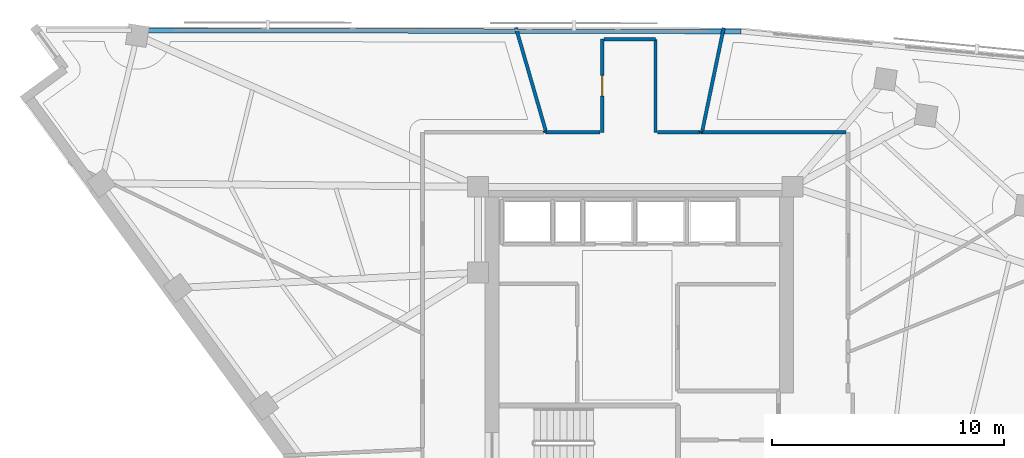
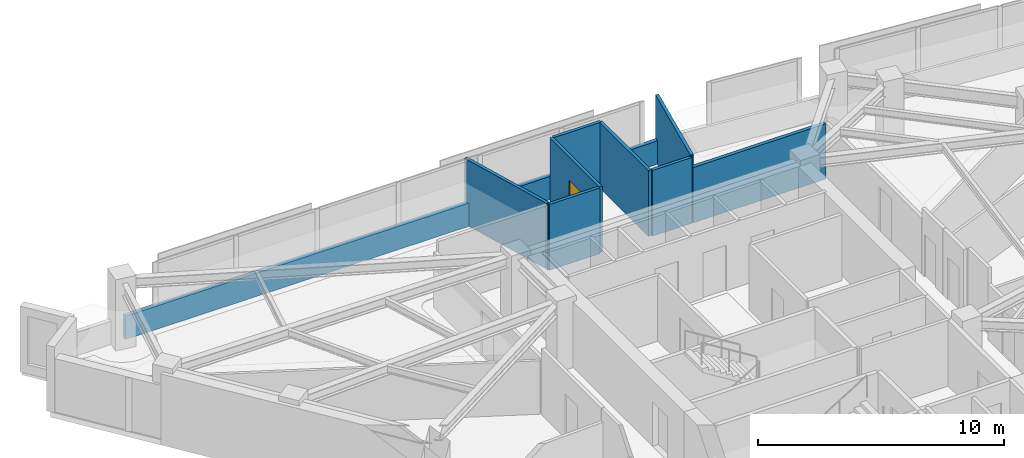
# One storey, part 10 of 13: 11 walls, 1 door, 1 opening.
"""IFC4 building model written with IfcOpenShell, lengths in metres."""

from ifc_helpers import new_model, si_unit, direction, frame, frame_2d, origin, place, context, subcontext, project, spatial, rectangle, extrude, material, layer, layer_set, type_object, element, fill, save


model = new_model("IFC4")

# Units and contexts
model_context = context("Model", 3, precision=1e-05, world=origin(), true_north=direction((0.0, 1.0)))
body_context = subcontext(model_context, "Body", "Model", "MODEL_VIEW")
ifc_project = project(units=[si_unit("LENGTHUNIT", "METRE"), si_unit("AREAUNIT", "SQUARE_METRE"), si_unit("VOLUMEUNIT", "CUBIC_METRE"), si_unit("PLANEANGLEUNIT", "RADIAN"), si_unit("MASSUNIT", "GRAM", prefix="KILO")], contexts=[model_context])

# Site, building, storey
site_placement = place(None, origin())
site = spatial("IfcSite", under=ifc_project, at=site_placement, CompositionType="ELEMENT")
building_placement = place(site_placement, origin())
building = spatial("IfcBuilding", under=site, at=building_placement, Name="Narakoshi Arena Tower", CompositionType="ELEMENT")
storey_placement = place(building_placement, frame((0.0, 0.0, 253.699951171875)))
storey = spatial("IfcBuildingStorey", under=building, at=storey_placement, Name="L69", CompositionType="ELEMENT", Elevation=253.699951171875)

# Walls
ifc_material_1 = material(Name="Gypsum plasterboard fire-rated partition")
ifc_layer_1 = layer(ifc_material_1, 0.1650390625)
ifc_layer_set_1 = layer_set([ifc_layer_1], Name="Gypsum plasterboard fire-rated partition")
wall_type_1 = type_object("IfcWallType", Name="WL-CORR-165", PredefinedType="PARTITIONING", material=ifc_layer_set_1)
wall_1_placement = place(storey_placement, frame((87.85546875, 58.85009765625, 0.0), z_axis=(0.0, 0.0, 1.0), x_axis=(-1.0, 0.0, 0.0)))
element("IfcWall", 1, at=wall_1_placement, inside=storey, type_object=wall_type_1, Name="L69 Corridor Partition 06-2", PredefinedType="PARTITIONING", context=body_context, shape_type="SweptSolid", body=[
    extrude(rectangle(XDim=6.23876953125, YDim=0.1650390625, at=frame_2d((3.119384765625, 0.0))), origin(), (0.0, 0.0, 1.0), 2.7451171875),
])
ifc_material_2 = material(Name="Precast concrete C45/55", Category="concrete")
ifc_layer_2 = layer(ifc_material_2, 0.25)
ifc_layer_set_2 = layer_set([ifc_layer_2], Name="Precast concrete C45/55")
wall_type_2 = type_object("IfcWallType", Name="WL-PARA-250", PredefinedType="PARAPET", material=ifc_layer_set_2)
wall_2_placement = place(storey_placement, frame((83.332275390625, 63.193359375, 0.0), z_axis=(0.0, 0.0, 1.0), x_axis=(-0.999998363757, 0.001809000383, 0.0)))
element("IfcWall", 2, at=wall_2_placement, inside=storey, type_object=wall_type_2, Name="L69 Hypotenuse Sill Upstand Parapet 2-01", PredefinedType="PARAPET", context=body_context, shape_type="SweptSolid", body=[
    extrude(rectangle(XDim=25.777099609375, YDim=0.199951171875, at=frame_2d((12.888671875, 0.0))), origin(), (0.0, 0.0, 1.0), 1.150146484375),
])
ifc_material_3 = material(Name="Moisture-resistant cement-board partition")
ifc_layer_3 = layer(ifc_material_3, 0.14501953125)
ifc_layer_set_3 = layer_set([ifc_layer_3], Name="Moisture-resistant cement-board partition")
wall_type_3 = type_object("IfcWallType", Name="WL-WET-145", PredefinedType="PARTITIONING", material=ifc_layer_set_3)
wall_3_placement = place(storey_placement, frame((81.673095703125, 58.944580078125, 0.0), z_axis=(0.0, 0.0, 1.0), x_axis=(0.203261558021, 0.979124475759, 0.0)))
element("IfcWall", 3, at=wall_3_placement, inside=storey, type_object=wall_type_3, Name="L69 Inter-Room Partition 06-07", PredefinedType="PARTITIONING", context=body_context, shape_type="SweptSolid", body=[
    extrude(rectangle(XDim=4.504150390625, YDim=0.14501953125, at=frame_2d((2.251953125, 0.0))), origin(), (0.0, 0.0, 1.0), 3.260009765625),
])

# Wall, opening, door
wall_4_placement = place(storey_placement, frame((77.35009765625, 62.8642578125, 0.0), z_axis=(0.0, 0.0, 1.0), x_axis=(0.0, -1.0, 0.0)))
wall_4 = element("IfcWall", 4, at=wall_4_placement, inside=storey, type_object=wall_type_3, Name="L69 Corridor Partition 07-1", PredefinedType="PARTITIONING", context=body_context, shape_type="SweptSolid", body=[
    extrude(rectangle(XDim=4.01416015625, YDim=0.14501953125, at=frame_2d((2.007080078125, 0.0))), origin(), (0.0, 0.0, 1.0), 3.260009765625),
])
opening_placement = place(wall_4_placement, frame((1.55712890625, 0.0, 0.0)))
opening = element("IfcOpeningElement", 5, at=opening_placement, cuts=wall_4, Name="Opening D-08", PredefinedType="OPENING", context=body_context, shape_type="SweptSolid", body=[
    extrude(rectangle(XDim=0.89990234375, YDim=2.10009765625, at=frame_2d((0.449951171875, 1.050048828125))), frame((0.0, 0.08251953125, 0.0), z_axis=(0.0, -1.0, 0.0), x_axis=(1.0, 0.0, 0.0)), (0.0, 0.0, 1.0), 0.1650390625),
])
ifc_material_4 = material(Name="Moisture-resistant laminate timber", Category="wood")
door_type = type_object("IfcDoorType", Name="DR-WC-900", OperationType="NOTDEFINED", PredefinedType="DOOR", material=ifc_material_4)
door_placement = place(opening_placement, frame((0.89990234375, 0.0, 0.0), z_axis=(0.0, 0.0, 1.0), x_axis=(-1.0, 0.0, 0.0)))
door = element("IfcDoor", 6, at=door_placement, inside=storey, type_object=door_type, Name="DR-L69-020", OperationType="SINGLE_SWING_RIGHT", OverallHeight=2.10009765625, OverallWidth=0.89990234375, PredefinedType="DOOR", context=body_context, shape_type="SweptSolid", body=[
    extrude(rectangle(XDim=0.89990234375, YDim=2.10009765625, at=frame_2d((0.449951171875, 1.050048828125))), frame((0.0, 0.02490234375, 0.0), z_axis=(0.0, -1.0, 0.0), x_axis=(1.0, 0.0, 0.0)), (0.0, 0.0, 1.0), 0.050048828125),
])
fill(opening, door)

# Walls
wall_5_placement = place(storey_placement, frame((79.64990234375, 58.85009765625, 0.0), z_axis=(0.0, 0.0, 1.0), x_axis=(0.0, 1.0, 0.0)))
element("IfcWall", 7, at=wall_5_placement, inside=storey, type_object=wall_type_3, Name="L69 Corridor Partition 07-2", PredefinedType="PARTITIONING", context=body_context, shape_type="SweptSolid", body=[
    extrude(rectangle(XDim=4.010009765625, YDim=0.14501953125, at=frame_2d((2.0048828125, 0.0))), origin(), (0.0, 0.0, 1.0), 3.260009765625),
])
wall_6_placement = place(storey_placement, frame((77.265380859375, 58.85009765625, 0.0), z_axis=(0.0, 0.0, 1.0), x_axis=(-1.0, 0.0, 0.0)))
element("IfcWall", 8, at=wall_6_placement, inside=storey, type_object=wall_type_3, Name="L69 Corridor Partition 07-3", PredefinedType="PARTITIONING", context=body_context, shape_type="SweptSolid", body=[
    extrude(rectangle(XDim=2.364990234375, YDim=0.14501953125, at=frame_2d((1.1826171875, 0.0))), origin(), (0.0, 0.0, 1.0), 3.260009765625),
])
wall_7_placement = place(storey_placement, frame((79.64990234375, 62.860107421875, 0.0), z_axis=(0.0, 0.0, 1.0), x_axis=(-0.999998445426, 0.001763276959, 0.0)))
element("IfcWall", 9, at=wall_7_placement, inside=storey, type_object=wall_type_3, Name="L69 Corridor Partition 07-4", PredefinedType="PARTITIONING", context=body_context, shape_type="SweptSolid", body=[
    extrude(rectangle(XDim=2.21533203125, YDim=0.14501953125, at=frame_2d((1.107666015625, 0.0))), origin(), (0.0, 0.0, 1.0), 3.260009765625),
])
wall_8_placement = place(storey_placement, frame((81.592041015625, 58.85009765625, 0.0), z_axis=(0.0, 0.0, 1.0), x_axis=(-1.0, 0.0, 0.0)))
element("IfcWall", 10, at=wall_8_placement, inside=storey, type_object=wall_type_3, Name="L69 Corridor Partition 07-5", PredefinedType="PARTITIONING", context=body_context, shape_type="SweptSolid", body=[
    extrude(rectangle(XDim=1.857421875, YDim=0.14501953125, at=frame_2d((0.9287109375, 0.0))), origin(), (0.0, 0.0, 1.0), 3.260009765625),
])
wall_9_placement = place(storey_placement, frame((74.900390625, 58.85009765625, 0.0), z_axis=(0.0, 0.0, 1.0), x_axis=(-0.285553030271, 0.958362909812, 0.0)))
element("IfcWall", 11, at=wall_9_placement, inside=storey, type_object=wall_type_3, Name="L69 Corridor Partition 07-6", PredefinedType="PARTITIONING", context=body_context, shape_type="SweptSolid", body=[
    extrude(rectangle(XDim=0.0625, YDim=0.14501953125, at=frame_2d((0.03125, 0.0))), origin(), (0.0, 0.0, 1.0), 3.260009765625),
])
wall_10_placement = place(storey_placement, frame((81.604736328125, 58.909912109375, 0.0), z_axis=(0.0, 0.0, 1.0), x_axis=(-0.207619987955, -0.978209558633, 0.0)))
element("IfcWall", 12, at=wall_10_placement, inside=storey, type_object=wall_type_3, Name="L69 Corridor Partition 07-7", PredefinedType="PARTITIONING", context=body_context, shape_type="SweptSolid", body=[
    extrude(rectangle(XDim=0.06103515625, YDim=0.14501953125, at=frame_2d((0.030517578125, 0.0))), origin(), (0.0, 0.0, 1.0), 3.260009765625),
])
wall_11_placement = place(storey_placement, frame((74.91064453125, 58.9345703125, 0.0), z_axis=(0.0, 0.0, 1.0), x_axis=(-0.27800801649, 0.960578754068, 0.0)))
element("IfcWall", 13, at=wall_11_placement, inside=storey, type_object=wall_type_3, Name="L69 Inter-Room Partition 07-08", PredefinedType="PARTITIONING", context=body_context, shape_type="SweptSolid", body=[
    extrude(rectangle(XDim=4.618408203125, YDim=0.14501953125, at=frame_2d((2.30908203125, 0.0))), origin(), (0.0, 0.0, 1.0), 3.260009765625),
])

save(model, "model.ifc")
